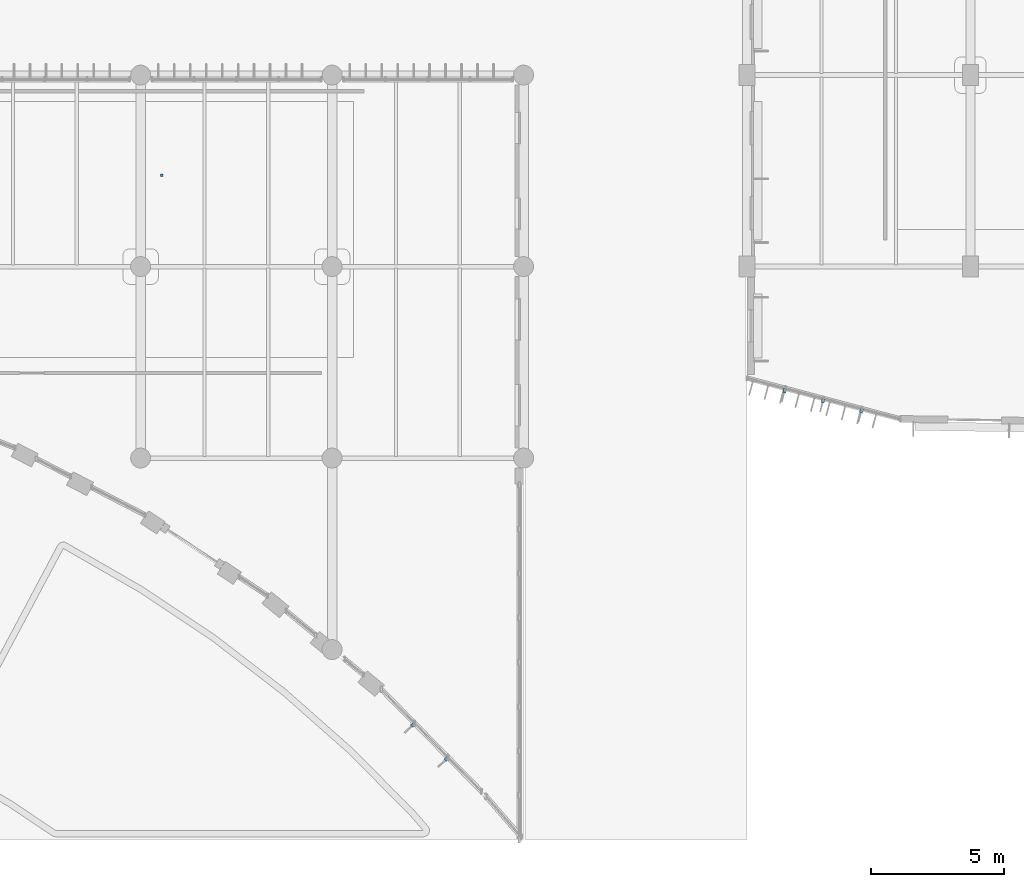
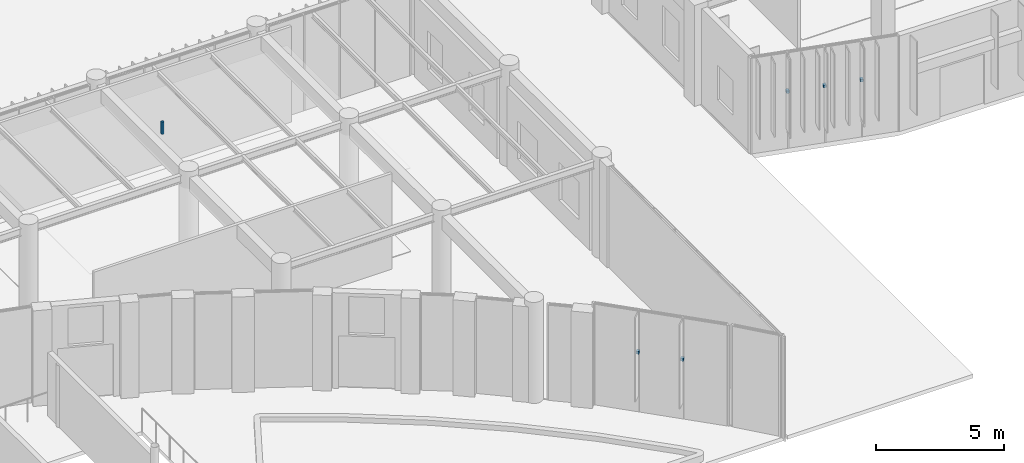
# One storey, part 48 of 122: 6 discrete accessories.
"""IFC4 building model written with IfcOpenShell, lengths in metres."""

from ifc_helpers import new_model, si_unit, direction, frame, origin, origin_2d, place, context, subcontext, project, spatial, rectangle, extrude, material, type_object, element, save


model = new_model("IFC4")

# Units and contexts
model_context = context("Model", 3, precision=1e-05, world=origin(), true_north=direction((0.0, 1.0)))
body_context = subcontext(model_context, "Body", "Model", "MODEL_VIEW")
ifc_project = project(units=[si_unit("LENGTHUNIT", "METRE"), si_unit("AREAUNIT", "SQUARE_METRE"), si_unit("VOLUMEUNIT", "CUBIC_METRE"), si_unit("PLANEANGLEUNIT", "RADIAN"), si_unit("MASSUNIT", "GRAM", prefix="KILO")], contexts=[model_context])

# Site, building, storey
site_placement = place(None, origin())
site = spatial("IfcSite", under=ifc_project, at=site_placement, CompositionType="ELEMENT")
building_placement = place(site_placement, origin())
building = spatial("IfcBuilding", under=site, at=building_placement, Name="Tazoul Stagehouse", CompositionType="ELEMENT")
storey_placement = place(building_placement, origin())
storey = spatial("IfcBuildingStorey", under=building, at=storey_placement, Name="L00", CompositionType="ELEMENT", Elevation=0.0)

# Discrete accessories
ifc_material = material(Name="Austenitic Stainless Steel EN 1.4401", Category="steel")
discrete_accessory_type_1 = type_object("IfcDiscreteAccessoryType", Name="Interior Acoustic Hanger Bracket", PredefinedType="BRACKET", material=ifc_material)
discrete_accessory_placement = place(storey_placement, frame((103.39990234375, 26.4375, 3.97998046875), z_axis=(0.0, 0.0, 1.0), x_axis=(1.0, 0.0, 0.0)))
element("IfcDiscreteAccessory", 1, at=discrete_accessory_placement, inside=storey, type_object=discrete_accessory_type_1, Name="L00 East Crescent Patron Foyer Ceiling Suspension Bracket", PredefinedType="BRACKET", context=body_context, shape_type="SweptSolid", body=[
    extrude(rectangle(XDim=0.10009765625, YDim=0.10009765625, at=origin_2d()), origin(), (0.0, 0.0, 1.0), 0.590087890625),
])
discrete_accessory_type_2 = type_object("IfcDiscreteAccessoryType", Name="Stainless Steel Louvre Support Cleat Bracket", PredefinedType="BRACKET", material=ifc_material)
for number, where, z_axis, x_axis, name in (
    (2, (112.8427734375, 5.774658203125, 2.78564453125), (0.0, 0.0, 1.0), (0.700246698398, -0.713900946479, 0.0), "Cleat Bracket BRK-01 CW-V5-CRN-L00-C17-BRK01"),
    (3, (114.100830078125, 4.4921875, 2.78564453125), (0.0, 0.0, 1.0), (0.700246698398, -0.713900946479, 0.0), "Cleat Bracket BRK-01 CW-V5-CRN-L00-C17-BRK02"),
    (4, (126.819091796875, 18.33984375, 2.66064453125), (0.0, 0.0, 1.0), (0.966413318036, -0.256992798969, 0.0), "Cleat Bracket BRK-01 CW-V4-DRUM-L00-S01-BRK01"),
    (5, (128.2587890625, 17.95703125, 2.66064453125), (0.0, 0.0, 1.0), (0.966413318036, -0.256992798969, 0.0), "Cleat Bracket BRK-01 CW-V4-DRUM-L00-S01-BRK02"),
    (6, (129.698486328125, 17.57421875, 2.66064453125), (0.0, 0.0, 1.0), (0.966413318036, -0.256992798969, 0.0), "Cleat Bracket BRK-01 CW-V4-DRUM-L00-S01-BRK03"),
):
    element("IfcDiscreteAccessory", number, at=place(storey_placement, frame(where, z_axis=z_axis, x_axis=x_axis)), inside=storey, type_object=discrete_accessory_type_2, Name=name, PredefinedType="BRACKET", context=body_context, shape_type="SweptSolid", body=[
        extrude(rectangle(XDim=0.1201171875, YDim=0.159912109375, at=origin_2d()), origin(), (0.0, 0.0, 1.0), 0.1201171875),
    ])

save(model, "model.ifc")
